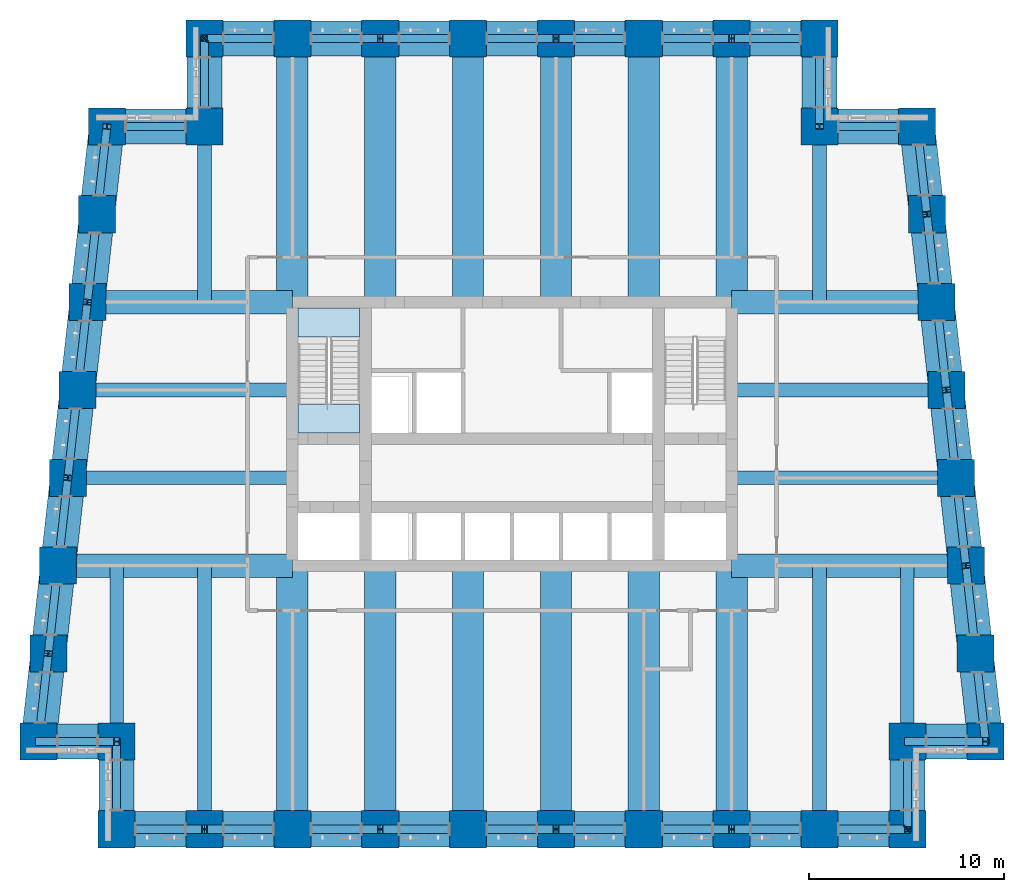
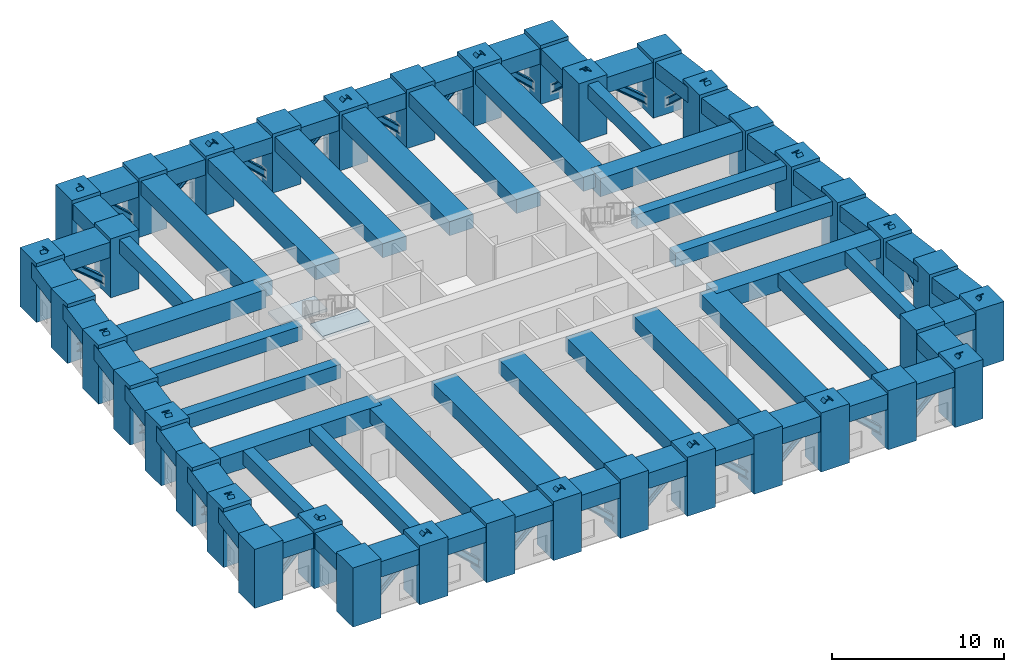
# One storey, part 1 of 16: 64 beams, 38 columns, 38 members, 2 slabs, 1 element without a shape of its own.
"""IFC4 building model written with IfcOpenShell, lengths in metres."""

from ifc_helpers import new_model, si_unit, direction, frame, origin, origin_2d, place, context, subcontext, project, spatial, polyline, rectangle, i_section, outline, extrude, material, layer, layer_set, material_profile, profile_set, type_object, element, aggregate, save


model = new_model("IFC4")

# Units and contexts
model_context = context("Model", 3, precision=1e-05, world=origin(), true_north=direction((0.0, 1.0)))
body_context = subcontext(model_context, "Body", "Model", "MODEL_VIEW")
ifc_project = project(units=[si_unit("LENGTHUNIT", "METRE"), si_unit("AREAUNIT", "SQUARE_METRE"), si_unit("VOLUMEUNIT", "CUBIC_METRE"), si_unit("PLANEANGLEUNIT", "RADIAN"), si_unit("MASSUNIT", "GRAM", prefix="KILO")], contexts=[model_context])

# Site, building, storey
site_placement = place(None, origin())
site = spatial("IfcSite", under=ifc_project, at=site_placement, CompositionType="ELEMENT")
building_placement = place(site_placement, origin())
building = spatial("IfcBuilding", under=site, at=building_placement, Name="Kilele Tower Hotel", CompositionType="ELEMENT")
storey_placement = place(building_placement, frame((0.0, 0.0, 85.699951171875)))
storey = spatial("IfcBuildingStorey", under=building, at=storey_placement, Name="L21", CompositionType="ELEMENT", Elevation=85.699951171875)

# Columns
ifc_material_1 = material(Name="Concrete C70/85", Category="concrete")
ifc_material_profile_1 = material_profile(ifc_material_1, rectangle(XDim=1.89990234375, YDim=1.89990234375, at=origin_2d()))
ifc_profile_set_1 = profile_set([ifc_material_profile_1], Name="Concrete C70/85")
column_type = type_object("IfcColumnType", Name="Tube column RC 1900x1900 C70/85", PredefinedType="COLUMN", material=ifc_profile_set_1)
for number, where, z_axis, x_axis, name in (
    (1, (0.5, 4.5, 0.0), (0.0, 0.0, 1.0), (1.0, 0.0, 0.0), "Column TC2 L21"),
    (2, (4.5, 4.5, 0.0), (0.0, 0.0, 1.0), (1.0, 0.0, 0.0), "Column TC2 L21"),
    (3, (4.5, 0.0, 0.0), (0.0, 0.0, 1.0), (1.0, 0.0, 0.0), "Column TC2 L21"),
    (4, (9.0, 0.0, 0.0), (0.0, 0.0, 1.0), (1.0, 0.0, 0.0), "Column TC2 L21"),
    (5, (13.5, 0.0, 0.0), (0.0, 0.0, 1.0), (1.0, 0.0, 0.0), "Column TC2 L21"),
    (6, (18.0, 0.0, 0.0), (0.0, 0.0, 1.0), (1.0, 0.0, 0.0), "Column TC2 L21"),
    (7, (22.5, 0.0, 0.0), (0.0, 0.0, 1.0), (1.0, 0.0, 0.0), "Column TC2 L21"),
    (8, (27.0, 0.0, 0.0), (0.0, 0.0, 1.0), (1.0, 0.0, 0.0), "Column TC2 L21"),
    (9, (31.5, 0.0, 0.0), (0.0, 0.0, 1.0), (1.0, 0.0, 0.0), "Column TC2 L21"),
    (10, (36.0, 0.0, 0.0), (0.0, 0.0, 1.0), (1.0, 0.0, 0.0), "Column TC2 L21"),
    (11, (40.5, 0.0, 0.0), (0.0, 0.0, 1.0), (1.0, 0.0, 0.0), "Column TC2 L21"),
    (12, (45.0, 0.0, 0.0), (0.0, 0.0, 1.0), (1.0, 0.0, 0.0), "Column TC2 L21"),
    (13, (45.0, 4.5, 0.0), (0.0, 0.0, 1.0), (1.0, 0.0, 0.0), "Column TC2 L21"),
    (14, (49.0, 4.5, 0.0), (0.0, 0.0, 1.0), (1.0, 0.0, 0.0), "Column TC2 L21"),
    (15, (48.5, 9.0, 0.0), (0.0, 0.0, 1.0), (1.0, 0.0, 0.0), "Column TC2 L21"),
    (16, (48.0, 13.5, 0.0), (0.0, 0.0, 1.0), (1.0, 0.0, 0.0), "Column TC2 L21"),
    (17, (47.5, 18.0, 0.0), (0.0, 0.0, 1.0), (1.0, 0.0, 0.0), "Column TC2 L21"),
    (18, (47.0, 22.5, 0.0), (0.0, 0.0, 1.0), (1.0, 0.0, 0.0), "Column TC2 L21"),
    (19, (46.5, 27.0, 0.0), (0.0, 0.0, 1.0), (1.0, 0.0, 0.0), "Column TC2 L21"),
    (20, (46.0, 31.5, 0.0), (0.0, 0.0, 1.0), (1.0, 0.0, 0.0), "Column TC2 L21"),
    (21, (45.5, 36.0, 0.0), (0.0, 0.0, 1.0), (1.0, 0.0, 0.0), "Column TC2 L21"),
    (22, (40.5, 36.0, 0.0), (0.0, 0.0, 1.0), (1.0, 0.0, 0.0), "Column TC2 L21"),
    (23, (40.5, 40.5, 0.0), (0.0, 0.0, 1.0), (1.0, 0.0, 0.0), "Column TC2 L21"),
    (24, (36.0, 40.5, 0.0), (0.0, 0.0, 1.0), (1.0, 0.0, 0.0), "Column TC2 L21"),
    (25, (31.5, 40.5, 0.0), (0.0, 0.0, 1.0), (1.0, 0.0, 0.0), "Column TC2 L21"),
    (26, (27.0, 40.5, 0.0), (0.0, 0.0, 1.0), (1.0, 0.0, 0.0), "Column TC2 L21"),
    (27, (22.5, 40.5, 0.0), (0.0, 0.0, 1.0), (1.0, 0.0, 0.0), "Column TC2 L21"),
    (28, (18.0, 40.5, 0.0), (0.0, 0.0, 1.0), (1.0, 0.0, 0.0), "Column TC2 L21"),
    (29, (13.5, 40.5, 0.0), (0.0, 0.0, 1.0), (1.0, 0.0, 0.0), "Column TC2 L21"),
    (30, (9.0, 40.5, 0.0), (0.0, 0.0, 1.0), (1.0, 0.0, 0.0), "Column TC2 L21"),
    (31, (9.0, 36.0, 0.0), (0.0, 0.0, 1.0), (1.0, 0.0, 0.0), "Column TC2 L21"),
    (32, (4.0, 36.0, 0.0), (0.0, 0.0, 1.0), (1.0, 0.0, 0.0), "Column TC2 L21"),
    (33, (3.5, 31.5, 0.0), (0.0, 0.0, 1.0), (1.0, 0.0, 0.0), "Column TC2 L21"),
    (34, (3.0, 27.0, 0.0), (0.0, 0.0, 1.0), (1.0, 0.0, 0.0), "Column TC2 L21"),
    (35, (2.5, 22.5, 0.0), (0.0, 0.0, 1.0), (1.0, 0.0, 0.0), "Column TC2 L21"),
    (36, (2.0, 18.0, 0.0), (0.0, 0.0, 1.0), (1.0, 0.0, 0.0), "Column TC2 L21"),
    (37, (1.5, 13.5, 0.0), (0.0, 0.0, 1.0), (1.0, 0.0, 0.0), "Column TC2 L21"),
    (38, (1.0, 9.0, 0.0), (0.0, 0.0, 1.0), (1.0, 0.0, 0.0), "Column TC2 L21"),
):
    element("IfcColumn", number, at=place(storey_placement, frame(where, z_axis=z_axis, x_axis=x_axis)), inside=storey, type_object=column_type, Name=name, PredefinedType="COLUMN", context=body_context, shape_type="SweptSolid", body=[
        extrude(rectangle(XDim=1.89990234375, YDim=1.89990234375, at=origin_2d()), origin(), (0.0, 0.0, 1.0), 4.199951171875),
    ])

# Beams
ifc_material_2 = material(Name="Concrete C60/75", Category="concrete")
ifc_material_profile_2 = material_profile(ifc_material_2, rectangle(XDim=1.60009765625, YDim=1.0, at=origin_2d()))
ifc_profile_set_2 = profile_set([ifc_material_profile_2], Name="Concrete C60/75")
beam_type_1 = type_object("IfcBeamType", Name="Beam RC 1600x1000 C60/75", PredefinedType="BEAM", material=ifc_profile_set_2)
for number, where, z_axis, x_axis, name in (
    (39, (13.5, 0.0, 3.449951171875), (0.0, 1.0, 0.0), (-1.0, 0.0, 0.0), "Beam BC1 level L22"),
    (40, (18.0, 0.0, 3.449951171875), (0.0, 1.0, 0.0), (-1.0, 0.0, 0.0), "Beam BC1 level L22"),
    (41, (22.5, 0.0, 3.449951171875), (0.0, 1.0, 0.0), (-1.0, 0.0, 0.0), "Beam BC1 level L22"),
    (42, (27.0, 0.0, 3.449951171875), (0.0, 1.0, 0.0), (-1.0, 0.0, 0.0), "Beam BC1 level L22"),
    (43, (31.5, 0.0, 3.449951171875), (0.0, 1.0, 0.0), (-1.0, 0.0, 0.0), "Beam BC1 level L22"),
    (44, (36.0, 0.0, 3.449951171875), (0.0, 1.0, 0.0), (-1.0, 0.0, 0.0), "Beam BC1 level L22"),
    (45, (36.0, 40.5, 3.449951171875), (0.0, -1.0, 0.0), (1.0, 0.0, 0.0), "Beam BC1 level L22"),
    (46, (31.5, 40.5, 3.449951171875), (0.0, -1.0, 0.0), (1.0, 0.0, 0.0), "Beam BC1 level L22"),
    (47, (27.0, 40.5, 3.449951171875), (0.0, -1.0, 0.0), (1.0, 0.0, 0.0), "Beam BC1 level L22"),
    (48, (22.5, 40.5, 3.449951171875), (0.0, -1.0, 0.0), (1.0, 0.0, 0.0), "Beam BC1 level L22"),
    (49, (18.0, 40.5, 3.449951171875), (0.0, -1.0, 0.0), (1.0, 0.0, 0.0), "Beam BC1 level L22"),
    (50, (13.5, 40.5, 3.449951171875), (0.0, -1.0, 0.0), (1.0, 0.0, 0.0), "Beam BC1 level L22"),
):
    element("IfcBeam", number, at=place(storey_placement, frame(where, z_axis=z_axis, x_axis=x_axis)), inside=storey, type_object=beam_type_1, Name=name, PredefinedType="BEAM", context=body_context, shape_type="SweptSolid", body=[
        extrude(rectangle(XDim=1.60009765625, YDim=1.0, at=origin_2d()), origin(), (0.0, 0.0, 1.0), 13.5),
    ])
ifc_material_3 = material(Name="Concrete C60/75", Category="concrete")
ifc_material_profile_3 = material_profile(ifc_material_3, rectangle(XDim=0.699951171875, YDim=1.0, at=origin_2d()))
ifc_profile_set_3 = profile_set([ifc_material_profile_3], Name="Concrete C60/75")
beam_type_2 = type_object("IfcBeamType", Name="Beam RC 700x1000 C60/75", PredefinedType="BEAM", material=ifc_profile_set_3)
for number, where, z_axis, x_axis, name in (
    (51, (9.0, 0.0, 3.449951171875), (0.0, 1.0, 0.0), (-1.0, 0.0, 0.0), "Beam B4 level L22"),
    (52, (40.5, 0.0, 3.449951171875), (0.0, 1.0, 0.0), (-1.0, 0.0, 0.0), "Beam B4 level L22"),
):
    element("IfcBeam", number, at=place(storey_placement, frame(where, z_axis=z_axis, x_axis=x_axis)), inside=storey, type_object=beam_type_2, Name=name, PredefinedType="BEAM", context=body_context, shape_type="SweptSolid", body=[
        extrude(rectangle(XDim=0.699951171875, YDim=1.0, at=origin_2d()), origin(), (0.0, 0.0, 1.0), 13.5),
    ])
ifc_material_4 = material(Name="Concrete C60/75", Category="concrete")
ifc_material_profile_4 = material_profile(ifc_material_4, rectangle(XDim=0.699951171875, YDim=1.0, at=origin_2d()))
ifc_profile_set_4 = profile_set([ifc_material_profile_4], Name="Concrete C60/75")
beam_type_3 = type_object("IfcBeamType", Name="Beam RC 700x1000 C60/75 mid span", PredefinedType="BEAM", material=ifc_profile_set_4)
for number, where, z_axis, x_axis, name in (
    (53, (4.5, 4.5, 3.449951171875), (0.0, 1.0, 0.0), (-1.0, 0.0, 0.0), "Beam B5 level L22"),
    (54, (45.0, 4.5, 3.449951171875), (0.0, 1.0, 0.0), (-1.0, 0.0, 0.0), "Beam B5 level L22"),
):
    element("IfcBeam", number, at=place(storey_placement, frame(where, z_axis=z_axis, x_axis=x_axis)), inside=storey, type_object=beam_type_3, Name=name, PredefinedType="BEAM", context=body_context, shape_type="SweptSolid", body=[
        extrude(rectangle(XDim=0.699951171875, YDim=1.0, at=origin_2d()), origin(), (0.0, 0.0, 1.0), 9.0),
    ])
beam_1_placement = place(storey_placement, frame((47.5, 18.0, 3.449951171875), z_axis=(-1.0, 0.0, 0.0), x_axis=(0.0, -1.0, 0.0)))
element("IfcBeam", 55, at=beam_1_placement, inside=storey, type_object=beam_type_3, Name="Beam B5 level L22", PredefinedType="BEAM", context=body_context, shape_type="SweptSolid", body=[
    extrude(rectangle(XDim=0.699951171875, YDim=1.0, at=origin_2d()), origin(), (0.0, 0.0, 1.0), 11.5),
])
beam_2_placement = place(storey_placement, frame((47.0, 22.5, 3.449951171875), z_axis=(-1.0, 0.0, 0.0), x_axis=(0.0, -1.0, 0.0)))
element("IfcBeam", 56, at=beam_2_placement, inside=storey, type_object=beam_type_3, Name="Beam B5 level L22", PredefinedType="BEAM", context=body_context, shape_type="SweptSolid", body=[
    extrude(rectangle(XDim=0.699951171875, YDim=1.0, at=origin_2d()), origin(), (0.0, 0.0, 1.0), 11.0),
])
for number, where, z_axis, x_axis, name in (
    (57, (40.5, 36.0, 3.449951171875), (0.0, -1.0, 0.0), (1.0, 0.0, 0.0), "Beam B5 level L22"),
    (58, (9.0, 36.0, 3.449951171875), (0.0, -1.0, 0.0), (1.0, 0.0, 0.0), "Beam B5 level L22"),
):
    element("IfcBeam", number, at=place(storey_placement, frame(where, z_axis=z_axis, x_axis=x_axis)), inside=storey, type_object=beam_type_3, Name=name, PredefinedType="BEAM", context=body_context, shape_type="SweptSolid", body=[
        extrude(rectangle(XDim=0.699951171875, YDim=1.0, at=origin_2d()), origin(), (0.0, 0.0, 1.0), 9.0),
    ])
beam_3_placement = place(storey_placement, frame((2.5, 22.5, 3.449951171875), z_axis=(1.0, 0.0, 0.0), x_axis=(0.0, 1.0, 0.0)))
element("IfcBeam", 59, at=beam_3_placement, inside=storey, type_object=beam_type_3, Name="Beam B5 level L22", PredefinedType="BEAM", context=body_context, shape_type="SweptSolid", body=[
    extrude(rectangle(XDim=0.699951171875, YDim=1.0, at=origin_2d()), origin(), (0.0, 0.0, 1.0), 11.0),
])
beam_4_placement = place(storey_placement, frame((2.0, 18.0, 3.449951171875), z_axis=(1.0, 0.0, 0.0), x_axis=(0.0, 1.0, 0.0)))
element("IfcBeam", 60, at=beam_4_placement, inside=storey, type_object=beam_type_3, Name="Beam B5 level L22", PredefinedType="BEAM", context=body_context, shape_type="SweptSolid", body=[
    extrude(rectangle(XDim=0.699951171875, YDim=1.0, at=origin_2d()), origin(), (0.0, 0.0, 1.0), 11.5),
])

# Members
ifc_material_5 = material(Name="Steel S460M", Category="steel")
ifc_material_profile_5 = material_profile(ifc_material_5, i_section(OverallWidth=0.412109375, OverallDepth=0.4365234375, WebThickness=0.035888671875, FlangeThickness=0.05810546875, FilletRadius=0.01513671875, at=origin_2d()))
ifc_profile_set_5 = profile_set([ifc_material_profile_5], Name="Steel S460M")
member_type = type_object("IfcMemberType", Name="Belt truss diagonal UKC 356x406x467 S460M", PredefinedType="BRACE", material=ifc_profile_set_5)
member_1_placement = place(storey_placement, frame((0.5, 4.5, 0.0), z_axis=(0.689659376744, 0.0, 0.724133926887), x_axis=(0.0, 1.0, 0.0)))
element("IfcMember", 61, at=member_1_placement, inside=storey, type_object=member_type, Name="Belt truss diagonal L21 bay 1", PredefinedType="BRACE", context=body_context, shape_type="SweptSolid", body=[
    extrude(i_section(OverallWidth=0.412109375, OverallDepth=0.4365234375, WebThickness=0.035888671875, FlangeThickness=0.05810546875, FilletRadius=0.01513671875, at=origin_2d()), origin(), (0.0, 0.0, 1.0), 5.800048828125),
])
for number, where, z_axis, x_axis, name in (
    (62, (4.5, 4.5, 4.199951171875), (0.0, -0.73105922506, -0.682314010889), (1.0, 0.0, 0.0), "Belt truss diagonal L21 bay 2"),
    (63, (4.5, 0.0, 0.0), (0.73105922506, 0.0, 0.682314010889), (0.0, 1.0, 0.0), "Belt truss diagonal L21 bay 3"),
    (64, (9.0, 0.0, 4.199951171875), (0.73105922506, 0.0, -0.682314010889), (0.0, 1.0, 0.0), "Belt truss diagonal L21 bay 4"),
    (65, (13.5, 0.0, 0.0), (0.73105922506, 0.0, 0.682314010889), (0.0, 1.0, 0.0), "Belt truss diagonal L21 bay 5"),
    (66, (18.0, 0.0, 4.199951171875), (0.73105922506, 0.0, -0.682314010889), (0.0, 1.0, 0.0), "Belt truss diagonal L21 bay 6"),
    (67, (22.5, 0.0, 0.0), (0.73105922506, 0.0, 0.682314010889), (0.0, 1.0, 0.0), "Belt truss diagonal L21 bay 7"),
    (68, (27.0, 0.0, 4.199951171875), (0.73105922506, 0.0, -0.682314010889), (0.0, 1.0, 0.0), "Belt truss diagonal L21 bay 8"),
    (69, (31.5, 0.0, 0.0), (0.73105922506, 0.0, 0.682314010889), (0.0, 1.0, 0.0), "Belt truss diagonal L21 bay 9"),
    (70, (36.0, 0.0, 4.199951171875), (0.73105922506, 0.0, -0.682314010889), (0.0, 1.0, 0.0), "Belt truss diagonal L21 bay 10"),
    (71, (40.5, 0.0, 0.0), (0.73105922506, 0.0, 0.682314010889), (0.0, 1.0, 0.0), "Belt truss diagonal L21 bay 11"),
    (72, (45.0, 0.0, 4.199951171875), (0.0, 0.73105922506, -0.682314010889), (-1.0, 0.0, 0.0), "Belt truss diagonal L21 bay 12"),
):
    element("IfcMember", number, at=place(storey_placement, frame(where, z_axis=z_axis, x_axis=x_axis)), inside=storey, type_object=member_type, Name=name, PredefinedType="BRACE", context=body_context, shape_type="SweptSolid", body=[
        extrude(i_section(OverallWidth=0.412109375, OverallDepth=0.4365234375, WebThickness=0.035888671875, FlangeThickness=0.05810546875, FilletRadius=0.01513671875, at=origin_2d()), origin(), (0.0, 0.0, 1.0), 6.155517578125),
    ])
member_2_placement = place(storey_placement, frame((45.0, 4.5, 0.0), z_axis=(0.689659376744, 0.0, 0.724133926887), x_axis=(0.0, 1.0, 0.0)))
element("IfcMember", 73, at=member_2_placement, inside=storey, type_object=member_type, Name="Belt truss diagonal L21 bay 13", PredefinedType="BRACE", context=body_context, shape_type="SweptSolid", body=[
    extrude(i_section(OverallWidth=0.412109375, OverallDepth=0.4365234375, WebThickness=0.035888671875, FlangeThickness=0.05810546875, FilletRadius=0.01513671875, at=origin_2d()), origin(), (0.0, 0.0, 1.0), 5.800048828125),
])
for number, where, z_axis, x_axis, name in (
    (74, (49.0, 4.5, 4.199951171875), (-0.080962143022, 0.728659287194, -0.680074094922), (-0.993883734674, -0.110431526075, 0.0), "Belt truss diagonal L21 bay 14"),
    (75, (48.5, 9.0, 0.0), (-0.080962143022, 0.728659287194, 0.680074094922), (-0.993883734674, -0.110431526075, 0.0), "Belt truss diagonal L21 bay 15"),
    (76, (48.0, 13.5, 4.199951171875), (-0.080962143022, 0.728659287194, -0.680074094922), (-0.993883734674, -0.110431526075, 0.0), "Belt truss diagonal L21 bay 16"),
    (77, (47.5, 18.0, 0.0), (-0.080962143022, 0.728659287194, 0.680074094922), (-0.993883734674, -0.110431526075, 0.0), "Belt truss diagonal L21 bay 17"),
    (78, (47.0, 22.5, 4.199951171875), (-0.080962143022, 0.728659287194, -0.680074094922), (-0.993883734674, -0.110431526075, 0.0), "Belt truss diagonal L21 bay 18"),
    (79, (46.5, 27.0, 0.0), (-0.080962143022, 0.728659287194, 0.680074094922), (-0.993883734674, -0.110431526075, 0.0), "Belt truss diagonal L21 bay 19"),
    (80, (46.0, 31.5, 4.199951171875), (-0.080962143022, 0.728659287194, -0.680074094922), (-0.993883734674, -0.110431526075, 0.0), "Belt truss diagonal L21 bay 20"),
):
    element("IfcMember", number, at=place(storey_placement, frame(where, z_axis=z_axis, x_axis=x_axis)), inside=storey, type_object=member_type, Name=name, PredefinedType="BRACE", context=body_context, shape_type="SweptSolid", body=[
        extrude(i_section(OverallWidth=0.412109375, OverallDepth=0.4365234375, WebThickness=0.035888671875, FlangeThickness=0.05810546875, FilletRadius=0.01513671875, at=origin_2d()), origin(), (0.0, 0.0, 1.0), 6.17578125),
    ])
member_3_placement = place(storey_placement, frame((45.5, 36.0, 0.0), z_axis=(-0.765708547471, 0.0, 0.643187702253), x_axis=(0.0, -1.0, 0.0)))
element("IfcMember", 81, at=member_3_placement, inside=storey, type_object=member_type, Name="Belt truss diagonal L21 bay 21", PredefinedType="BRACE", context=body_context, shape_type="SweptSolid", body=[
    extrude(i_section(OverallWidth=0.412109375, OverallDepth=0.4365234375, WebThickness=0.035888671875, FlangeThickness=0.05810546875, FilletRadius=0.01513671875, at=origin_2d()), origin(), (0.0, 0.0, 1.0), 6.52978515625),
])
for number, where, z_axis, x_axis, name in (
    (82, (40.5, 36.0, 4.199951171875), (0.0, 0.73105922506, -0.682314010889), (-1.0, 0.0, 0.0), "Belt truss diagonal L21 bay 22"),
    (83, (40.5, 40.5, 0.0), (-0.73105922506, 0.0, 0.682314010889), (0.0, -1.0, 0.0), "Belt truss diagonal L21 bay 23"),
    (84, (36.0, 40.5, 4.199951171875), (-0.73105922506, 0.0, -0.682314010889), (0.0, -1.0, 0.0), "Belt truss diagonal L21 bay 24"),
    (85, (31.5, 40.5, 0.0), (-0.73105922506, 0.0, 0.682314010889), (0.0, -1.0, 0.0), "Belt truss diagonal L21 bay 25"),
    (86, (27.0, 40.5, 4.199951171875), (-0.73105922506, 0.0, -0.682314010889), (0.0, -1.0, 0.0), "Belt truss diagonal L21 bay 26"),
    (87, (22.5, 40.5, 0.0), (-0.73105922506, 0.0, 0.682314010889), (0.0, -1.0, 0.0), "Belt truss diagonal L21 bay 27"),
    (88, (18.0, 40.5, 4.199951171875), (-0.73105922506, 0.0, -0.682314010889), (0.0, -1.0, 0.0), "Belt truss diagonal L21 bay 28"),
    (89, (13.5, 40.5, 0.0), (-0.73105922506, 0.0, 0.682314010889), (0.0, -1.0, 0.0), "Belt truss diagonal L21 bay 29"),
    (90, (9.0, 40.5, 4.199951171875), (0.0, -0.73105922506, -0.682314010889), (1.0, 0.0, 0.0), "Belt truss diagonal L21 bay 30"),
):
    element("IfcMember", number, at=place(storey_placement, frame(where, z_axis=z_axis, x_axis=x_axis)), inside=storey, type_object=member_type, Name=name, PredefinedType="BRACE", context=body_context, shape_type="SweptSolid", body=[
        extrude(i_section(OverallWidth=0.412109375, OverallDepth=0.4365234375, WebThickness=0.035888671875, FlangeThickness=0.05810546875, FilletRadius=0.01513671875, at=origin_2d()), origin(), (0.0, 0.0, 1.0), 6.155517578125),
    ])
member_4_placement = place(storey_placement, frame((9.0, 36.0, 0.0), z_axis=(-0.765708547471, 0.0, 0.643187702253), x_axis=(0.0, -1.0, 0.0)))
element("IfcMember", 91, at=member_4_placement, inside=storey, type_object=member_type, Name="Belt truss diagonal L21 bay 31", PredefinedType="BRACE", context=body_context, shape_type="SweptSolid", body=[
    extrude(i_section(OverallWidth=0.412109375, OverallDepth=0.4365234375, WebThickness=0.035888671875, FlangeThickness=0.05810546875, FilletRadius=0.01513671875, at=origin_2d()), origin(), (0.0, 0.0, 1.0), 6.52978515625),
])
for number, where, z_axis, x_axis, name in (
    (92, (4.0, 36.0, 4.199951171875), (-0.080962143022, -0.728659287194, -0.680074094922), (0.993883734674, -0.110431526075, 0.0), "Belt truss diagonal L21 bay 32"),
    (93, (3.5, 31.5, 0.0), (-0.080962143022, -0.728659287194, 0.680074094922), (0.993883734674, -0.110431526075, 0.0), "Belt truss diagonal L21 bay 33"),
    (94, (3.0, 27.0, 4.199951171875), (-0.080962143022, -0.728659287194, -0.680074094922), (0.993883734674, -0.110431526075, 0.0), "Belt truss diagonal L21 bay 34"),
    (95, (2.5, 22.5, 0.0), (-0.080962143022, -0.728659287194, 0.680074094922), (0.993883734674, -0.110431526075, 0.0), "Belt truss diagonal L21 bay 35"),
    (96, (2.0, 18.0, 4.199951171875), (-0.080962143022, -0.728659287194, -0.680074094922), (0.993883734674, -0.110431526075, 0.0), "Belt truss diagonal L21 bay 36"),
    (97, (1.5, 13.5, 0.0), (-0.080962143022, -0.728659287194, 0.680074094922), (0.993883734674, -0.110431526075, 0.0), "Belt truss diagonal L21 bay 37"),
    (98, (1.0, 9.0, 4.199951171875), (-0.080962143022, -0.728659287194, -0.680074094922), (0.993883734674, -0.110431526075, 0.0), "Belt truss diagonal L21 bay 38"),
):
    element("IfcMember", number, at=place(storey_placement, frame(where, z_axis=z_axis, x_axis=x_axis)), inside=storey, type_object=member_type, Name=name, PredefinedType="BRACE", context=body_context, shape_type="SweptSolid", body=[
        extrude(i_section(OverallWidth=0.412109375, OverallDepth=0.4365234375, WebThickness=0.035888671875, FlangeThickness=0.05810546875, FilletRadius=0.01513671875, at=origin_2d()), origin(), (0.0, 0.0, 1.0), 6.17578125),
    ])

# Beams
ifc_material_6 = material(Name="Concrete C60/75", Category="concrete")
ifc_material_profile_6 = material_profile(ifc_material_6, rectangle(XDim=1.199951171875, YDim=1.300048828125, at=origin_2d()))
ifc_profile_set_6 = profile_set([ifc_material_profile_6], Name="Concrete C60/75")
beam_type_4 = type_object("IfcBeamType", Name="Girder RC 1200x1300 C60/75", PredefinedType="BEAM", material=ifc_profile_set_6)
for number, where, z_axis, x_axis, name in (
    (99, (48.0, 13.5, 3.300048828125), (-1.0, 0.0, 0.0), (0.0, -1.0, 0.0), "Girder G1 level L22"),
    (100, (1.5, 13.5, 3.300048828125), (1.0, 0.0, 0.0), (0.0, 1.0, 0.0), "Girder G1 level L22"),
):
    element("IfcBeam", number, at=place(storey_placement, frame(where, z_axis=z_axis, x_axis=x_axis)), inside=storey, type_object=beam_type_4, Name=name, PredefinedType="BEAM", context=body_context, shape_type="SweptSolid", body=[
        extrude(rectangle(XDim=1.199951171875, YDim=1.300048828125, at=origin_2d()), origin(), (0.0, 0.0, 1.0), 12.0),
    ])
ifc_material_7 = material(Name="Concrete C60/75", Category="concrete")
ifc_material_profile_7 = material_profile(ifc_material_7, rectangle(XDim=1.199951171875, YDim=1.300048828125, at=origin_2d()))
ifc_profile_set_7 = profile_set([ifc_material_profile_7], Name="Concrete C60/75")
beam_type_5 = type_object("IfcBeamType", Name="Girder RC 1200x1300 C60/75 mid span", PredefinedType="BEAM", material=ifc_profile_set_7)
for number, where, z_axis, x_axis, name in (
    (101, (46.5, 27.0, 3.300048828125), (-1.0, 0.0, 0.0), (0.0, -1.0, 0.0), "Girder G3 level L22"),
    (102, (3.0, 27.0, 3.300048828125), (1.0, 0.0, 0.0), (0.0, 1.0, 0.0), "Girder G3 level L22"),
):
    element("IfcBeam", number, at=place(storey_placement, frame(where, z_axis=z_axis, x_axis=x_axis)), inside=storey, type_object=beam_type_5, Name=name, PredefinedType="BEAM", context=body_context, shape_type="SweptSolid", body=[
        extrude(rectangle(XDim=1.199951171875, YDim=1.300048828125, at=origin_2d()), origin(), (0.0, 0.0, 1.0), 10.5),
    ])
ifc_material_8 = material(Name="Concrete C60/75", Category="concrete")
ifc_material_profile_8 = material_profile(ifc_material_8, rectangle(XDim=1.800048828125, YDim=1.10009765625, at=origin_2d()))
ifc_profile_set_8 = profile_set([ifc_material_profile_8], Name="Concrete C60/75")
beam_type_6 = type_object("IfcBeamType", Name="Spandrel RC 1800x1100 C60/75", PredefinedType="SPANDREL", material=ifc_profile_set_8)
beam_5_placement = place(storey_placement, frame((0.5, 4.5, 3.400146484375), z_axis=(1.0, 0.0, 0.0), x_axis=(0.0, 1.0, 0.0)))
element("IfcBeam", 103, at=beam_5_placement, inside=storey, type_object=beam_type_6, Name="Spandrel SP4 level L22", PredefinedType="SPANDREL", context=body_context, shape_type="SweptSolid", body=[
    extrude(rectangle(XDim=1.800048828125, YDim=1.10009765625, at=origin_2d()), origin(), (0.0, 0.0, 1.0), 4.0),
])
for number, where, z_axis, x_axis, name in (
    (104, (4.5, 4.5, 3.400146484375), (0.0, -1.0, 0.0), (1.0, 0.0, 0.0), "Spandrel SP4 level L22"),
    (105, (4.5, 0.0, 3.400146484375), (1.0, 0.0, 0.0), (0.0, 1.0, 0.0), "Spandrel SP4 level L22"),
    (106, (9.0, 0.0, 3.400146484375), (1.0, 0.0, 0.0), (0.0, 1.0, 0.0), "Spandrel SP4 level L22"),
    (107, (13.5, 0.0, 3.400146484375), (1.0, 0.0, 0.0), (0.0, 1.0, 0.0), "Spandrel SP4 level L22"),
    (108, (18.0, 0.0, 3.400146484375), (1.0, 0.0, 0.0), (0.0, 1.0, 0.0), "Spandrel SP4 level L22"),
    (109, (22.5, 0.0, 3.400146484375), (1.0, 0.0, 0.0), (0.0, 1.0, 0.0), "Spandrel SP4 level L22"),
    (110, (27.0, 0.0, 3.400146484375), (1.0, 0.0, 0.0), (0.0, 1.0, 0.0), "Spandrel SP4 level L22"),
    (111, (31.5, 0.0, 3.400146484375), (1.0, 0.0, 0.0), (0.0, 1.0, 0.0), "Spandrel SP4 level L22"),
    (112, (36.0, 0.0, 3.400146484375), (1.0, 0.0, 0.0), (0.0, 1.0, 0.0), "Spandrel SP4 level L22"),
    (113, (40.5, 0.0, 3.400146484375), (1.0, 0.0, 0.0), (0.0, 1.0, 0.0), "Spandrel SP4 level L22"),
    (114, (45.0, 0.0, 3.400146484375), (0.0, 1.0, 0.0), (-1.0, 0.0, 0.0), "Spandrel SP4 level L22"),
):
    element("IfcBeam", number, at=place(storey_placement, frame(where, z_axis=z_axis, x_axis=x_axis)), inside=storey, type_object=beam_type_6, Name=name, PredefinedType="SPANDREL", context=body_context, shape_type="SweptSolid", body=[
        extrude(rectangle(XDim=1.800048828125, YDim=1.10009765625, at=origin_2d()), origin(), (0.0, 0.0, 1.0), 4.5),
    ])
beam_6_placement = place(storey_placement, frame((45.0, 4.5, 3.400146484375), z_axis=(1.0, 0.0, 0.0), x_axis=(0.0, 1.0, 0.0)))
element("IfcBeam", 115, at=beam_6_placement, inside=storey, type_object=beam_type_6, Name="Spandrel SP4 level L22", PredefinedType="SPANDREL", context=body_context, shape_type="SweptSolid", body=[
    extrude(rectangle(XDim=1.800048828125, YDim=1.10009765625, at=origin_2d()), origin(), (0.0, 0.0, 1.0), 4.0),
])
for number, where, z_axis, x_axis, name in (
    (116, (49.0, 4.5, 3.400146484375), (-0.110431526075, 0.993883734674, 0.0), (-0.993883734674, -0.110431526075, 0.0), "Spandrel SP4 level L22"),
    (117, (48.5, 9.0, 3.400146484375), (-0.110431526075, 0.993883734674, 0.0), (-0.993883734674, -0.110431526075, 0.0), "Spandrel SP4 level L22"),
    (118, (48.0, 13.5, 3.400146484375), (-0.110431526075, 0.993883734674, 0.0), (-0.993883734674, -0.110431526075, 0.0), "Spandrel SP4 level L22"),
    (119, (47.5, 18.0, 3.400146484375), (-0.110431526075, 0.993883734674, 0.0), (-0.993883734674, -0.110431526075, 0.0), "Spandrel SP4 level L22"),
    (120, (47.0, 22.5, 3.400146484375), (-0.110431526075, 0.993883734674, 0.0), (-0.993883734674, -0.110431526075, 0.0), "Spandrel SP4 level L22"),
    (121, (46.5, 27.0, 3.400146484375), (-0.110431526075, 0.993883734674, 0.0), (-0.993883734674, -0.110431526075, 0.0), "Spandrel SP4 level L22"),
    (122, (46.0, 31.5, 3.400146484375), (-0.110431526075, 0.993883734674, 0.0), (-0.993883734674, -0.110431526075, 0.0), "Spandrel SP4 level L22"),
):
    element("IfcBeam", number, at=place(storey_placement, frame(where, z_axis=z_axis, x_axis=x_axis)), inside=storey, type_object=beam_type_6, Name=name, PredefinedType="SPANDREL", context=body_context, shape_type="SweptSolid", body=[
        extrude(rectangle(XDim=1.800048828125, YDim=1.10009765625, at=origin_2d()), origin(), (0.0, 0.0, 1.0), 4.527587890625),
    ])
beam_7_placement = place(storey_placement, frame((45.5, 36.0, 3.400146484375), z_axis=(-1.0, 0.0, 0.0), x_axis=(0.0, -1.0, 0.0)))
element("IfcBeam", 123, at=beam_7_placement, inside=storey, type_object=beam_type_6, Name="Spandrel SP4 level L22", PredefinedType="SPANDREL", context=body_context, shape_type="SweptSolid", body=[
    extrude(rectangle(XDim=1.800048828125, YDim=1.10009765625, at=origin_2d()), origin(), (0.0, 0.0, 1.0), 5.0),
])
for number, where, z_axis, x_axis, name in (
    (124, (40.5, 36.0, 3.400146484375), (0.0, 1.0, 0.0), (-1.0, 0.0, 0.0), "Spandrel SP4 level L22"),
    (125, (40.5, 40.5, 3.400146484375), (-1.0, 0.0, 0.0), (0.0, -1.0, 0.0), "Spandrel SP4 level L22"),
    (126, (36.0, 40.5, 3.400146484375), (-1.0, 0.0, 0.0), (0.0, -1.0, 0.0), "Spandrel SP4 level L22"),
    (127, (31.5, 40.5, 3.400146484375), (-1.0, 0.0, 0.0), (0.0, -1.0, 0.0), "Spandrel SP4 level L22"),
    (128, (27.0, 40.5, 3.400146484375), (-1.0, 0.0, 0.0), (0.0, -1.0, 0.0), "Spandrel SP4 level L22"),
    (129, (22.5, 40.5, 3.400146484375), (-1.0, 0.0, 0.0), (0.0, -1.0, 0.0), "Spandrel SP4 level L22"),
    (130, (18.0, 40.5, 3.400146484375), (-1.0, 0.0, 0.0), (0.0, -1.0, 0.0), "Spandrel SP4 level L22"),
    (131, (13.5, 40.5, 3.400146484375), (-1.0, 0.0, 0.0), (0.0, -1.0, 0.0), "Spandrel SP4 level L22"),
    (132, (9.0, 40.5, 3.400146484375), (0.0, -1.0, 0.0), (1.0, 0.0, 0.0), "Spandrel SP4 level L22"),
):
    element("IfcBeam", number, at=place(storey_placement, frame(where, z_axis=z_axis, x_axis=x_axis)), inside=storey, type_object=beam_type_6, Name=name, PredefinedType="SPANDREL", context=body_context, shape_type="SweptSolid", body=[
        extrude(rectangle(XDim=1.800048828125, YDim=1.10009765625, at=origin_2d()), origin(), (0.0, 0.0, 1.0), 4.5),
    ])
beam_8_placement = place(storey_placement, frame((9.0, 36.0, 3.400146484375), z_axis=(-1.0, 0.0, 0.0), x_axis=(0.0, -1.0, 0.0)))
element("IfcBeam", 133, at=beam_8_placement, inside=storey, type_object=beam_type_6, Name="Spandrel SP4 level L22", PredefinedType="SPANDREL", context=body_context, shape_type="SweptSolid", body=[
    extrude(rectangle(XDim=1.800048828125, YDim=1.10009765625, at=origin_2d()), origin(), (0.0, 0.0, 1.0), 5.0),
])
for number, where, z_axis, x_axis, name in (
    (134, (4.0, 36.0, 3.400146484375), (-0.110431526075, -0.993883734674, 0.0), (0.993883734674, -0.110431526075, 0.0), "Spandrel SP4 level L22"),
    (135, (3.5, 31.5, 3.400146484375), (-0.110431526075, -0.993883734674, 0.0), (0.993883734674, -0.110431526075, 0.0), "Spandrel SP4 level L22"),
    (136, (3.0, 27.0, 3.400146484375), (-0.110431526075, -0.993883734674, 0.0), (0.993883734674, -0.110431526075, 0.0), "Spandrel SP4 level L22"),
    (137, (2.5, 22.5, 3.400146484375), (-0.110431526075, -0.993883734674, 0.0), (0.993883734674, -0.110431526075, 0.0), "Spandrel SP4 level L22"),
    (138, (2.0, 18.0, 3.400146484375), (-0.110431526075, -0.993883734674, 0.0), (0.993883734674, -0.110431526075, 0.0), "Spandrel SP4 level L22"),
    (139, (1.5, 13.5, 3.400146484375), (-0.110431526075, -0.993883734674, 0.0), (0.993883734674, -0.110431526075, 0.0), "Spandrel SP4 level L22"),
    (140, (1.0, 9.0, 3.400146484375), (-0.110431526075, -0.993883734674, 0.0), (0.993883734674, -0.110431526075, 0.0), "Spandrel SP4 level L22"),
):
    element("IfcBeam", number, at=place(storey_placement, frame(where, z_axis=z_axis, x_axis=x_axis)), inside=storey, type_object=beam_type_6, Name=name, PredefinedType="SPANDREL", context=body_context, shape_type="SweptSolid", body=[
        extrude(rectangle(XDim=1.800048828125, YDim=1.10009765625, at=origin_2d()), origin(), (0.0, 0.0, 1.0), 4.527587890625),
    ])

# Stair, slabs
ifc_material_9 = material(Name="Precast concrete C40/50", Category="concrete")
stair_type = type_object("IfcStairType", Name="Stair 1475 x 4200", PredefinedType="HALF_TURN_STAIR", material=ifc_material_9)
stair_placement = place(storey_placement, origin())
stair = element("IfcStair", 141, at=stair_placement, inside=storey, type_object=stair_type, Name="Stair 1 L21", PredefinedType="HALF_TURN_STAIR")
ifc_material_10 = material(Name="Precast concrete C40/50", Category="concrete")
ifc_layer = layer(ifc_material_10, 0.199951171875)
ifc_layer_set = layer_set([ifc_layer], Name="Precast concrete C40/50")
slab_type = type_object("IfcSlabType", Name="Stair landing 200", PredefinedType="LANDING", material=ifc_layer_set)
slab_1_placement = place(storey_placement, frame((0.0, 0.0, 1.900146484375)))
slab_1 = element("IfcSlab", 142, at=slab_1_placement, type_object=slab_type, Name="ST1 landing 1", PredefinedType="LANDING", context=body_context, shape_type="SweptSolid", body=[
    extrude(outline(polyline([(13.800048828125, 25.22509765625), (16.949951171875, 25.22509765625), (16.949951171875, 26.699951171875), (13.800048828125, 26.699951171875), (13.800048828125, 25.22509765625)])), origin(), (0.0, 0.0, 1.0), 0.199951171875),
])
slab_2_placement = place(storey_placement, frame((0.0, 0.0, 4.0)))
slab_2 = element("IfcSlab", 143, at=slab_2_placement, type_object=slab_type, Name="ST1 landing 2", PredefinedType="LANDING", context=body_context, shape_type="SweptSolid", body=[
    extrude(outline(polyline([(13.800048828125, 20.300048828125), (16.949951171875, 20.300048828125), (16.949951171875, 21.77490234375), (13.800048828125, 21.77490234375), (13.800048828125, 20.300048828125)])), origin(), (0.0, 0.0, 1.0), 0.199951171875),
])
aggregate(stair, [slab_1, slab_2])

save(model, "model.ifc")
